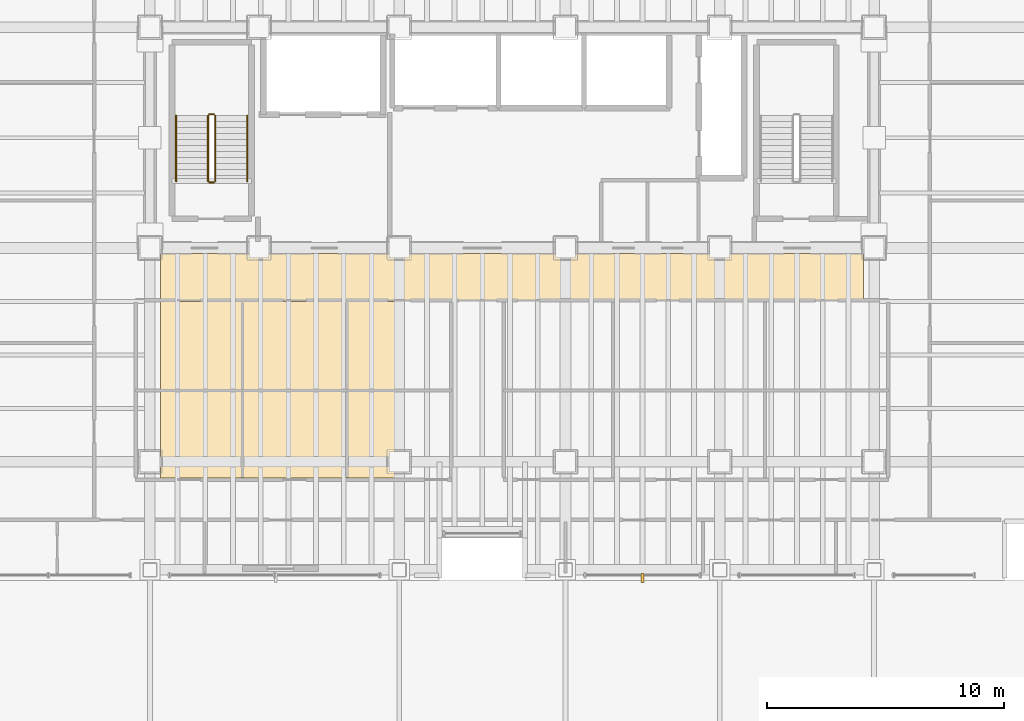
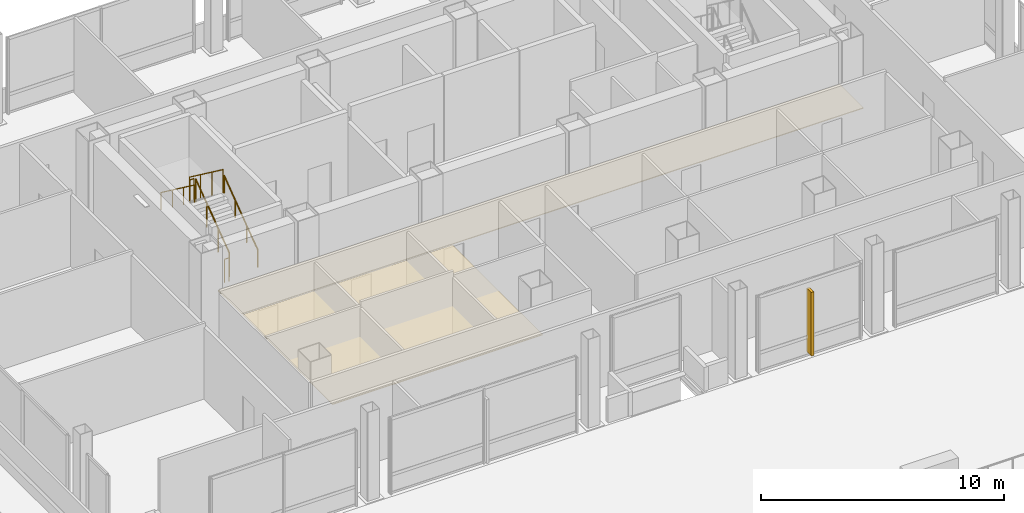
# One storey, part 32 of 34: 6 railings, 2 coverings, 1 shading device.
"""IFC4 building model written with IfcOpenShell, lengths in metres."""

from ifc_helpers import new_model, si_unit, direction, frame, origin, origin_2d, place, context, subcontext, project, spatial, polyline, rectangle, circle, outline, extrude, material, layer, layer_set, type_object, element, save


model = new_model("IFC4")

# Units and contexts
model_context = context("Model", 3, precision=1e-05, world=origin(), true_north=direction((0.0, 1.0)))
body_context = subcontext(model_context, "Body", "Model", "MODEL_VIEW")
ifc_project = project(units=[si_unit("LENGTHUNIT", "METRE"), si_unit("AREAUNIT", "SQUARE_METRE"), si_unit("VOLUMEUNIT", "CUBIC_METRE"), si_unit("PLANEANGLEUNIT", "RADIAN"), si_unit("MASSUNIT", "GRAM", prefix="KILO")], contexts=[model_context])

# Site, building, storey
site_placement = place(None, origin())
site = spatial("IfcSite", under=ifc_project, at=site_placement, CompositionType="ELEMENT")
building_placement = place(site_placement, origin())
building = spatial("IfcBuilding", under=site, at=building_placement, Name="Noeulbin Bourse Tower", CompositionType="ELEMENT")
storey_placement = place(building_placement, frame((0.0, 0.0, 22.0)))
storey = spatial("IfcBuildingStorey", under=building, at=storey_placement, Name="L05", CompositionType="ELEMENT", Elevation=22.0)

# Coverings
ifc_material_1 = material(Name="Perforated Mineral-Fibre Acoustic Tile")
ifc_layer_1 = layer(ifc_material_1, 0.0400390625)
ifc_layer_set_1 = layer_set([ifc_layer_1], Name="Perforated Mineral-Fibre Acoustic Tile")
covering_type = type_object("IfcCoveringType", Name="COV-CEIL-ACT", PredefinedType="CEILING", material=ifc_layer_set_1)
covering_1_placement = place(storey_placement, frame((0.0, 0.0, 2.110107421875)))
element("IfcCovering", 1, at=covering_1_placement, inside=storey, type_object=covering_type, Name="Corridor Suspended Ceiling L05", PredefinedType="CEILING", context=body_context, shape_type="SweptSolid", body=[
    extrude(outline(polyline([(13.949951171875, 26.820068359375), (43.550048828125, 26.820068359375), (43.550048828125, 28.780029296875), (13.949951171875, 28.780029296875), (13.949951171875, 26.820068359375)])), origin(), (0.0, 0.0, 1.0), 0.039794921875),
])
covering_2_placement = place(storey_placement, frame((0.0, 0.0, 2.110107421875)))
element("IfcCovering", 2, at=covering_2_placement, inside=storey, type_object=covering_type, Name="Trading Suite Acoustic Ceiling L05", PredefinedType="CEILING", context=body_context, shape_type="SweptSolid", body=[
    extrude(outline(polyline([(13.949951171875, 19.320068359375), (23.949951171875, 19.320068359375), (23.949951171875, 26.75), (13.949951171875, 26.75), (13.949951171875, 19.320068359375)])), origin(), (0.0, 0.0, 1.0), 0.039794921875),
])

# Railings
ifc_material_2 = material(Name="Painted Tubular Steel S355", Category="steel")
ifc_layer_2 = layer(ifc_material_2, 0.048095703125)
ifc_layer_set_2 = layer_set([ifc_layer_2], Name="Painted Tubular Steel S355")
railing_type_1 = type_object("IfcRailingType", Name="RLG-STR-GRD", PredefinedType="GUARDRAIL", material=ifc_layer_set_2)
railing_1_placement = place(storey_placement, frame((16.25, 31.81005859375, 0.1875)))
element("IfcRailing", 3, at=railing_1_placement, inside=storey, type_object=railing_type_1, Name="L05 ST-1 stair guard 1", PredefinedType="GUARDRAIL", context=body_context, shape_type="SweptSolid", body=[
    extrude(circle(Radius=0.02392578125, at=origin_2d()), frame((0.0, 0.0, 1.17578125), z_axis=(0.0, 0.80228358858, 0.596943082291), x_axis=(-1.0, 0.0, 0.0)), (0.0, 0.0, 1.0), 3.455078125),
    extrude(circle(Radius=0.02099609375, at=origin_2d()), origin(), (0.0, 0.0, 1.0), 1.15185546875),
    extrude(circle(Radius=0.02099609375, at=origin_2d()), frame((0.0, 0.924072265625, 0.6875)), (0.0, 0.0, 1.0), 1.15185546875),
    extrude(circle(Radius=0.02099609375, at=origin_2d()), frame((0.0, 1.847900390625, 1.375)), (0.0, 0.0, 1.0), 1.15185546875),
    extrude(circle(Radius=0.02099609375, at=origin_2d()), frame((0.0, 2.77197265625, 2.0625)), (0.0, 0.0, 1.0), 1.15185546875),
])
railing_2_placement = place(storey_placement, frame((16.199951171875, 34.632080078125, 2.25)))
element("IfcRailing", 4, at=railing_2_placement, inside=storey, type_object=railing_type_1, Name="L05 ST-1 stair guard 2", PredefinedType="GUARDRAIL", context=body_context, shape_type="SweptSolid", body=[
    extrude(circle(Radius=0.02392578125, at=origin_2d()), frame((0.0, 0.0, 1.17578125), z_axis=(-1.0, 0.0, 0.0), x_axis=(0.0, -1.0, 0.0)), (0.0, 0.0, 1.0), 0.199951171875),
    extrude(circle(Radius=0.02099609375, at=origin_2d()), origin(), (0.0, 0.0, 1.0), 1.15185546875),
    extrude(circle(Radius=0.02099609375, at=origin_2d()), frame((-0.199951171875, 0.0, 0.0)), (0.0, 0.0, 1.0), 1.15185546875),
])
railing_3_placement = place(storey_placement, frame((15.949951171875, 34.58203125, 2.4375)))
element("IfcRailing", 5, at=railing_3_placement, inside=storey, type_object=railing_type_1, Name="L05 ST-1 stair guard 3", PredefinedType="GUARDRAIL", context=body_context, shape_type="SweptSolid", body=[
    extrude(circle(Radius=0.02392578125, at=origin_2d()), frame((0.0, 0.0, 1.17578125), z_axis=(0.0, -0.80228358858, 0.596943082291), x_axis=(1.0, 0.0, 0.0)), (0.0, 0.0, 1.0), 3.455078125),
    extrude(circle(Radius=0.02099609375, at=origin_2d()), origin(), (0.0, 0.0, 1.0), 1.15185546875),
    extrude(circle(Radius=0.02099609375, at=origin_2d()), frame((0.0, -0.924072265625, 0.6875)), (0.0, 0.0, 1.0), 1.15185546875),
    extrude(circle(Radius=0.02099609375, at=origin_2d()), frame((0.0, -1.847900390625, 1.375)), (0.0, 0.0, 1.0), 1.15185546875),
    extrude(circle(Radius=0.02099609375, at=origin_2d()), frame((0.0, -2.77197265625, 2.0625)), (0.0, 0.0, 1.0), 1.15185546875),
])
railing_4_placement = place(storey_placement, frame((16.199951171875, 31.760009765625, 0.0)))
element("IfcRailing", 6, at=railing_4_placement, inside=storey, type_object=railing_type_1, Name="L05 ST-1 stair guard 4", PredefinedType="GUARDRAIL", context=body_context, shape_type="SweptSolid", body=[
    extrude(circle(Radius=0.02392578125, at=origin_2d()), frame((0.0, 0.0, 1.17578125), z_axis=(-1.0, 0.0, 0.0), x_axis=(0.0, -1.0, 0.0)), (0.0, 0.0, 1.0), 0.199951171875),
    extrude(circle(Radius=0.02099609375, at=origin_2d()), origin(), (0.0, 0.0, 1.0), 1.15185546875),
    extrude(circle(Radius=0.02099609375, at=origin_2d()), frame((-0.199951171875, 0.0, 0.0)), (0.0, 0.0, 1.0), 1.15185546875),
])
ifc_material_3 = material(Name="Brushed Stainless Steel 316", Category="steel")
ifc_layer_3 = layer(ifc_material_3, 0.048095703125)
ifc_layer_set_3 = layer_set([ifc_layer_3], Name="Brushed Stainless Steel 316")
railing_type_2 = type_object("IfcRailingType", Name="RLG-STR-HND", PredefinedType="HANDRAIL", material=ifc_layer_set_3)
railing_5_placement = place(storey_placement, frame((17.60009765625, 31.81005859375, 0.1875)))
element("IfcRailing", 7, at=railing_5_placement, inside=storey, type_object=railing_type_2, Name="L05 ST-1 stair handrail 1", PredefinedType="HANDRAIL", context=body_context, shape_type="SweptSolid", body=[
    extrude(circle(Radius=0.02392578125, at=origin_2d()), frame((0.0, 0.0, 0.8759765625), z_axis=(0.0, 0.80228358858, 0.596943082291), x_axis=(-1.0, 0.0, 0.0)), (0.0, 0.0, 1.0), 3.455078125),
    extrude(circle(Radius=0.02099609375, at=origin_2d()), origin(), (0.0, 0.0, 1.0), 0.851806640625),
    extrude(circle(Radius=0.02099609375, at=origin_2d()), frame((0.0, 0.924072265625, 0.6875)), (0.0, 0.0, 1.0), 0.851806640625),
    extrude(circle(Radius=0.02099609375, at=origin_2d()), frame((0.0, 1.847900390625, 1.375)), (0.0, 0.0, 1.0), 0.851806640625),
    extrude(circle(Radius=0.02099609375, at=origin_2d()), frame((0.0, 2.77197265625, 2.0625)), (0.0, 0.0, 1.0), 0.851806640625),
])
railing_6_placement = place(storey_placement, frame((14.60009765625, 34.58203125, 2.4375)))
element("IfcRailing", 8, at=railing_6_placement, inside=storey, type_object=railing_type_2, Name="L05 ST-1 stair handrail 2", PredefinedType="HANDRAIL", context=body_context, shape_type="SweptSolid", body=[
    extrude(circle(Radius=0.02392578125, at=origin_2d()), frame((0.0, 0.0, 0.8759765625), z_axis=(0.0, -0.80228358858, 0.596943082291), x_axis=(1.0, 0.0, 0.0)), (0.0, 0.0, 1.0), 3.455078125),
    extrude(circle(Radius=0.02099609375, at=origin_2d()), origin(), (0.0, 0.0, 1.0), 0.851806640625),
    extrude(circle(Radius=0.02099609375, at=origin_2d()), frame((0.0, -0.924072265625, 0.6875)), (0.0, 0.0, 1.0), 0.851806640625),
    extrude(circle(Radius=0.02099609375, at=origin_2d()), frame((0.0, -1.847900390625, 1.375)), (0.0, 0.0, 1.0), 0.851806640625),
    extrude(circle(Radius=0.02099609375, at=origin_2d()), frame((0.0, -2.77197265625, 2.0625)), (0.0, 0.0, 1.0), 0.851806640625),
])

# Shading device
ifc_material_4 = material(Name="Anodised Aluminium 6063-T6", Category="aluminium")
ifc_layer_4 = layer(ifc_material_4, 3.199951171875)
ifc_layer_set_4 = layer_set([ifc_layer_4], Name="Anodised Aluminium 6063-T6")
shading_device_type = type_object("IfcShadingDeviceType", Name="SHD-FIN-400", PredefinedType="USERDEFINED", material=ifc_layer_set_4)
shading_device_placement = place(storey_placement, frame((34.25, 15.10009765625, 0.14990234375), z_axis=(0.0, 0.0, 1.0), x_axis=(1.0, 0.0, 0.0)))
element("IfcShadingDevice", 9, at=shading_device_placement, inside=storey, type_object=shading_device_type, Name="Vertical Solar Fin SN-L05-2", ObjectType="SUNSHADE", PredefinedType="USERDEFINED", context=body_context, shape_type="SweptSolid", body=[
    extrude(rectangle(XDim=0.1201171875, YDim=0.3798828125, at=origin_2d()), origin(), (0.0, 0.0, 1.0), 3.199951171875),
])

save(model, "model.ifc")
